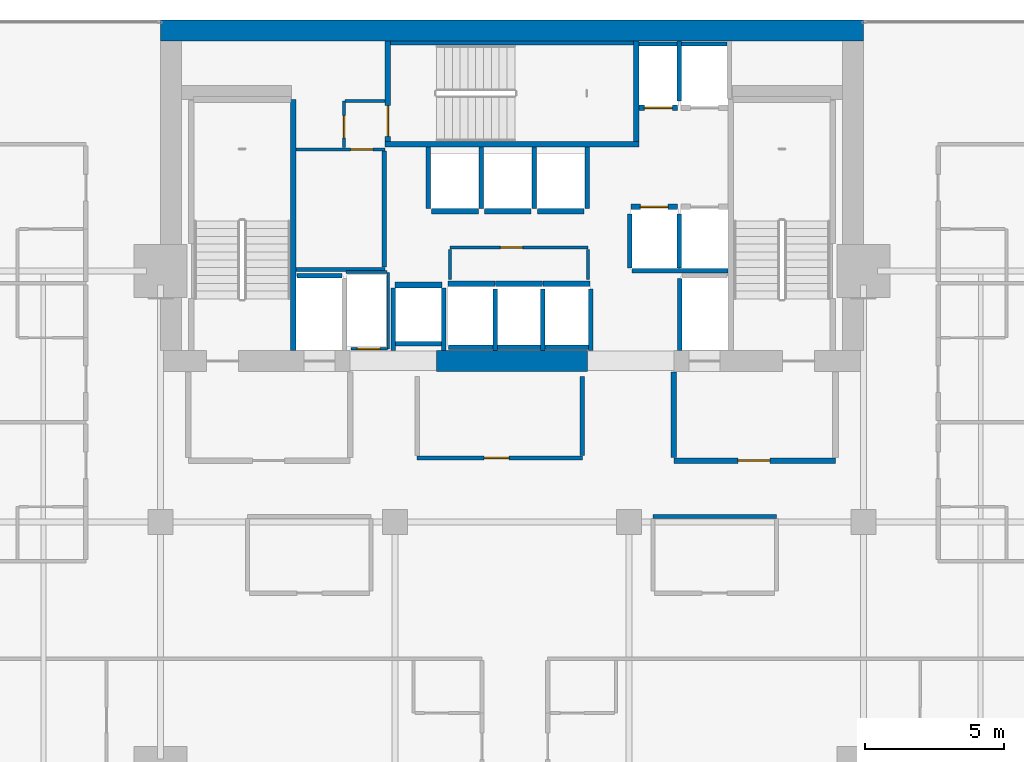
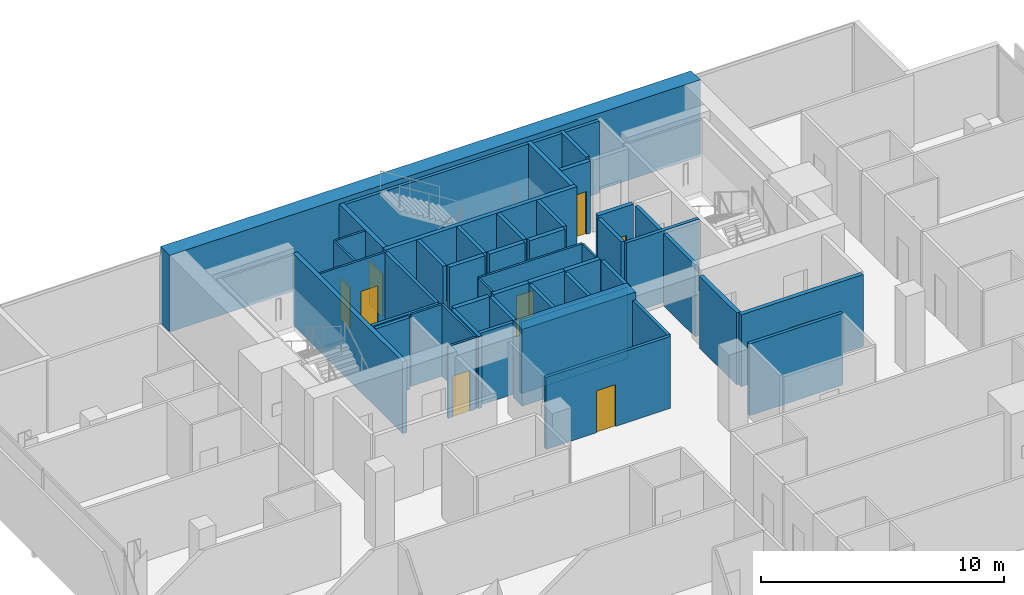
# One storey, part 30 of 34: 50 walls, 9 doors, 9 openings.
"""IFC4 building model written with IfcOpenShell, lengths in metres."""

from ifc_helpers import new_model, si_unit, direction, frame, frame_2d, origin, place, context, subcontext, project, spatial, rectangle, extrude, material, layer, layer_set, type_object, element, fill, save


model = new_model("IFC4")

# Units and contexts
model_context = context("Model", 3, precision=1e-05, world=origin(), true_north=direction((0.0, 1.0)))
body_context = subcontext(model_context, "Body", "Model", "MODEL_VIEW")
ifc_project = project(units=[si_unit("LENGTHUNIT", "METRE"), si_unit("AREAUNIT", "SQUARE_METRE"), si_unit("VOLUMEUNIT", "CUBIC_METRE"), si_unit("PLANEANGLEUNIT", "RADIAN"), si_unit("MASSUNIT", "GRAM", prefix="KILO")], contexts=[model_context])

# Site, building, storey
site_placement = place(None, origin())
site = spatial("IfcSite", under=ifc_project, at=site_placement, CompositionType="ELEMENT")
building_placement = place(site_placement, origin())
building = spatial("IfcBuilding", under=site, at=building_placement, Name="Maruvema Waterfront Hotel and Observation Tower", CompositionType="ELEMENT")
storey_placement = place(building_placement, frame((0.0, 0.0, 208.25)))
storey = spatial("IfcBuildingStorey", under=building, at=storey_placement, Name="L51", CompositionType="ELEMENT", Elevation=208.25)

# Walls
ifc_material_1 = material(Name="Twin-stud acoustic gypsum drywall", Category="gypsum")
ifc_layer_1 = layer(ifc_material_1, 0.14990234375, Name="Acoustic Corridor and Suite Demising Wall 150 mm")
ifc_layer_set_1 = layer_set([ifc_layer_1], Name="Twin-stud acoustic gypsum drywall")
wall_type_1 = type_object("IfcWallType", Name="Acoustic Corridor and Suite Demising Wall 150 mm", PredefinedType="PARTITIONING", material=ifc_layer_set_1)
wall_1_placement = place(storey_placement, frame((30.06005859375, 45.06005859375, 0.0), z_axis=(0.0, 0.0, 1.0), x_axis=(1.0, 0.0, 0.0)))
element("IfcWall", 1, at=wall_1_placement, inside=storey, type_object=wall_type_1, Name="L51 Freed B1 South Wall 013", PredefinedType="PARTITIONING", context=body_context, shape_type="SweptSolid", body=[
    extrude(rectangle(XDim=3.179931640625, YDim=0.14990234375, at=frame_2d((1.58984375, 0.0))), origin(), (0.0, 0.0, 1.0), 3.610107421875),
])
wall_2_placement = place(storey_placement, frame((33.219970703125, 45.139892578125, 0.0), z_axis=(0.0, 0.0, 1.0), x_axis=(0.0, 1.0, 0.0)))
element("IfcWall", 2, at=wall_2_placement, inside=storey, type_object=wall_type_1, Name="L51 Freed B1 East Wall 014", PredefinedType="PARTITIONING", context=body_context, shape_type="SweptSolid", body=[
    extrude(rectangle(XDim=4.16015625, YDim=0.14990234375, at=frame_2d((2.080078125, 0.0))), origin(), (0.0, 0.0, 1.0), 3.610107421875),
])

# Wall, opening, door
wall_3_placement = place(storey_placement, frame((34.39990234375, 38.300048828125, 0.0), z_axis=(0.0, 0.0, 1.0), x_axis=(1.0, 0.0, 0.0)))
wall_3 = element("IfcWall", 3, at=wall_3_placement, inside=storey, type_object=wall_type_1, Name="L51 Core Apron K0 South 018", PredefinedType="PARTITIONING", context=body_context, shape_type="SweptSolid", body=[
    extrude(rectangle(XDim=5.920166015625, YDim=0.14990234375, at=frame_2d((2.9599609375, 0.0))), origin(), (0.0, 0.0, 1.0), 3.610107421875),
])
opening_1_placement = place(wall_3_placement, frame((2.39990234375, 0.0, 0.0)))
opening_1 = element("IfcOpeningElement", 4, at=opening_1_placement, cuts=wall_3, Name="Opening DR-090", PredefinedType="OPENING", context=body_context, shape_type="SweptSolid", body=[
    extrude(rectangle(XDim=0.89990234375, YDim=2.10009765625, at=frame_2d((0.449951171875, 1.050048828125))), frame((0.0, 0.0849609375, 0.0), z_axis=(0.0, -1.0, 0.0), x_axis=(1.0, 0.0, 0.0)), (0.0, 0.0, 1.0), 0.169921875),
])
ifc_material_2 = material(Name="Solid-core lacquered timber leaf", Category="wood")
door_type_1 = type_object("IfcDoorType", Name="Accessible Toilet and Room Door 900x2100 mm", OperationType="NOTDEFINED", PredefinedType="DOOR", material=ifc_material_2)
door_1_placement = place(opening_1_placement, frame((0.89990234375, 0.0, 0.0), z_axis=(0.0, 0.0, 1.0), x_axis=(-1.0, 0.0, 0.0)))
door_1 = element("IfcDoor", 5, at=door_1_placement, inside=storey, type_object=door_type_1, Name="L51 Core Valet Room Door", OperationType="SINGLE_SWING_RIGHT", OverallHeight=2.10009765625, OverallWidth=0.89990234375, PredefinedType="DOOR", context=body_context, shape_type="SweptSolid", body=[
    extrude(rectangle(XDim=0.89990234375, YDim=2.10009765625, at=frame_2d((0.449951171875, 1.050048828125))), frame((0.0, 0.02490234375, 0.0), z_axis=(0.0, -1.0, 0.0), x_axis=(1.0, 0.0, 0.0)), (0.0, 0.0, 1.0), 0.050048828125),
])
fill(opening_1, door_1)

# Walls
wall_4_placement = place(storey_placement, frame((40.320068359375, 38.3798828125, 0.0), z_axis=(0.0, 0.0, 1.0), x_axis=(0.0, 1.0, 0.0)))
element("IfcWall", 6, at=wall_4_placement, inside=storey, type_object=wall_type_1, Name="L51 Core Apron K0 East 020", PredefinedType="PARTITIONING", context=body_context, shape_type="SweptSolid", body=[
    extrude(rectangle(XDim=2.840087890625, YDim=0.14990234375, at=frame_2d((1.419921875, 0.0))), origin(), (0.0, 0.0, 1.0), 3.610107421875),
])
wall_5_placement = place(storey_placement, frame((42.85009765625, 36.199951171875, 0.0), z_axis=(0.0, 0.0, 1.0), x_axis=(1.0, 0.0, 0.0)))
element("IfcWall", 7, at=wall_5_placement, inside=storey, type_object=wall_type_1, Name="L51 L51-M2 Back Wall 025", PredefinedType="PARTITIONING", context=body_context, shape_type="SweptSolid", body=[
    extrude(rectangle(XDim=4.429931640625, YDim=0.14990234375, at=frame_2d((2.21484375, 0.0))), origin(), (0.0, 0.0, 1.0), 3.610107421875),
])
ifc_material_3 = material(Name="Precast concrete C45/55", Category="concrete")
ifc_layer_2 = layer(ifc_material_3, 0.14990234375, Name="Core Shaft Furring Wall 150 mm")
ifc_layer_set_2 = layer_set([ifc_layer_2], Name="Precast concrete C45/55")
wall_type_2 = type_object("IfcWallType", Name="Core Shaft Furring Wall 150 mm", PredefinedType="SOLIDWALL", material=ifc_layer_set_2)
wall_6_placement = place(storey_placement, frame((33.449951171875, 53.175048828125, 0.0), z_axis=(0.0, 0.0, 1.0), x_axis=(1.0, 0.0, 0.0)))
element("IfcWall", 8, at=wall_6_placement, inside=storey, type_object=wall_type_2, Name="L51 Stairwell ST-02 North Furring Wall", PredefinedType="SOLIDWALL", context=body_context, shape_type="SweptSolid", body=[
    extrude(rectangle(XDim=8.699951171875, YDim=0.14990234375, at=frame_2d((4.35009765625, 0.0))), origin(), (0.0, 0.0, 1.0), 3.610107421875),
])
ifc_material_4 = material(Name="Precast concrete C45/55", Category="concrete")
ifc_layer_3 = layer(ifc_material_4, 0.199951171875, Name="Core Shaft and Stairwell Enclosure Wall 200 mm")
ifc_layer_set_3 = layer_set([ifc_layer_3], Name="Precast concrete C45/55")
wall_type_3 = type_object("IfcWallType", Name="Core Shaft and Stairwell Enclosure Wall 200 mm", PredefinedType="SOLIDWALL", material=ifc_layer_set_3)
wall_7_placement = place(storey_placement, frame((29.949951171875, 42.14990234375, 0.0), z_axis=(0.0, 0.0, 1.0), x_axis=(0.0, 1.0, 0.0)))
element("IfcWall", 9, at=wall_7_placement, inside=storey, type_object=wall_type_3, Name="L51 Stairwell ST-01 East Shaft Wall", PredefinedType="SOLIDWALL", context=body_context, shape_type="SweptSolid", body=[
    extrude(rectangle(XDim=9.0, YDim=0.199951171875, at=frame_2d((4.5, 0.0))), origin(), (0.0, 0.0, 1.0), 3.610107421875),
])
wall_8_placement = place(storey_placement, frame((33.25, 49.550048828125, 0.0), z_axis=(0.0, 0.0, 1.0), x_axis=(1.0, 0.0, 0.0)))
element("IfcWall", 10, at=wall_8_placement, inside=storey, type_object=wall_type_3, Name="L51 Stairwell ST-02 Shaft Wall", PredefinedType="SOLIDWALL", context=body_context, shape_type="SweptSolid", body=[
    extrude(rectangle(XDim=9.10009765625, YDim=0.199951171875, at=frame_2d((4.550048828125, 0.0))), origin(), (0.0, 0.0, 1.0), 3.610107421875),
])
wall_9_placement = place(storey_placement, frame((42.25, 49.64990234375, 0.0), z_axis=(0.0, 0.0, 1.0), x_axis=(0.0, 1.0, 0.0)))
element("IfcWall", 11, at=wall_9_placement, inside=storey, type_object=wall_type_3, Name="L51 Stairwell ST-02 Shaft Wall", PredefinedType="SOLIDWALL", context=body_context, shape_type="SweptSolid", body=[
    extrude(rectangle(XDim=3.60009765625, YDim=0.199951171875, at=frame_2d((1.800048828125, 0.0))), origin(), (0.0, 0.0, 1.0), 3.610107421875),
])

# Wall, opening, door
wall_10_placement = place(storey_placement, frame((33.35009765625, 49.64990234375, 0.0), z_axis=(0.0, 0.0, 1.0), x_axis=(0.0, 1.0, 0.0)))
wall_10 = element("IfcWall", 12, at=wall_10_placement, inside=storey, type_object=wall_type_3, Name="L51 Stairwell ST-02 Shaft Wall", PredefinedType="SOLIDWALL", context=body_context, shape_type="SweptSolid", body=[
    extrude(rectangle(XDim=3.60009765625, YDim=0.199951171875, at=frame_2d((1.800048828125, 0.0))), origin(), (0.0, 0.0, 1.0), 3.610107421875),
])
opening_2_placement = place(wall_10_placement, frame((0.179931640625, 0.0, 0.0)))
opening_2 = element("IfcOpeningElement", 13, at=opening_2_placement, cuts=wall_10, Name="Opening SD-02", PredefinedType="OPENING", context=body_context, shape_type="SweptSolid", body=[
    extrude(rectangle(XDim=1.10009765625, YDim=2.14990234375, at=frame_2d((0.550048828125, 1.074951171875))), frame((0.0, 0.10986328125, 0.0), z_axis=(0.0, -1.0, 0.0), x_axis=(1.0, 0.0, 0.0)), (0.0, 0.0, 1.0), 0.219970703125),
])
ifc_material_5 = material(Name="Fire-rated galvanised steel leaf", Category="steel")
door_type_2 = type_object("IfcDoorType", Name="Central Exit Stair Fire Door 1100x2150 mm", OperationType="NOTDEFINED", PredefinedType="DOOR", material=ifc_material_5)
door_2_placement = place(opening_2_placement, frame((1.10009765625, 0.0, 0.0), z_axis=(0.0, 0.0, 1.0), x_axis=(-1.0, 0.0, 0.0)))
door_2 = element("IfcDoor", 14, at=door_2_placement, inside=storey, type_object=door_type_2, Name="L51 Exit Stair ST-02 Fire Door", OperationType="SINGLE_SWING_LEFT", OverallHeight=2.14990234375, OverallWidth=1.10009765625, PredefinedType="DOOR", context=body_context, shape_type="SweptSolid", body=[
    extrude(rectangle(XDim=1.10009765625, YDim=2.14990234375, at=frame_2d((0.550048828125, 1.074951171875))), frame((0.0, 0.02490234375, 0.0), z_axis=(0.0, -1.0, 0.0), x_axis=(1.0, 0.0, 0.0)), (0.0, 0.0, 1.0), 0.050048828125),
])
fill(opening_2, door_2)

wall_11_placement = place(storey_placement, frame((42.06005859375, 47.300048828125, 0.0), z_axis=(0.0, 0.0, 1.0), x_axis=(1.0, 0.0, 0.0)))
wall_11 = element("IfcWall", 15, at=wall_11_placement, inside=storey, type_object=wall_type_3, Name="L51 Lift LF-05 Hoistway Front Wall", PredefinedType="SOLIDWALL", context=body_context, shape_type="SweptSolid", body=[
    extrude(rectangle(XDim=1.679931640625, YDim=0.199951171875, at=frame_2d((0.83984375, 0.0))), origin(), (0.0, 0.0, 1.0), 3.610107421875),
])
opening_3_placement = place(wall_11_placement, frame((0.340087890625, 0.0, 0.0)))
opening_3 = element("IfcOpeningElement", 16, at=opening_3_placement, cuts=wall_11, Name="Opening LD-01", PredefinedType="OPENING", context=body_context, shape_type="SweptSolid", body=[
    extrude(rectangle(XDim=1.0, YDim=2.14990234375, at=frame_2d((0.5, 1.074951171875))), frame((0.0, 0.10986328125, 0.0), z_axis=(0.0, -1.0, 0.0), x_axis=(1.0, 0.0, 0.0)), (0.0, 0.0, 1.0), 0.219970703125),
])
ifc_material_6 = material(Name="Brushed stainless steel Grade 316", Category="steel")
door_type_3 = type_object("IfcDoorType", Name="Passenger Lift Sliding Landing Door 1000x2150 mm", OperationType="SLIDING_TO_LEFT", PredefinedType="DOOR", material=ifc_material_6)
door_3_placement = place(opening_3_placement, origin())
door_3 = element("IfcDoor", 17, at=door_3_placement, inside=storey, type_object=door_type_3, Name="L51 Lift LF-05 Sliding Landing Door", OperationType="SLIDING_TO_LEFT", OverallHeight=2.14990234375, OverallWidth=1.0, PredefinedType="DOOR", context=body_context, shape_type="SweptSolid", body=[
    extrude(rectangle(XDim=1.0, YDim=2.14990234375, at=frame_2d((0.5, 1.074951171875))), frame((0.0, 0.02490234375, 0.0), z_axis=(0.0, -1.0, 0.0), x_axis=(1.0, 0.0, 0.0)), (0.0, 0.0, 1.0), 0.050048828125),
])
fill(opening_3, door_3)

wall_12_placement = place(storey_placement, frame((42.360107421875, 50.85009765625, 0.0), z_axis=(0.0, 0.0, 1.0), x_axis=(1.0, 0.0, 0.0)))
wall_12 = element("IfcWall", 18, at=wall_12_placement, inside=storey, type_object=wall_type_3, Name="L51 Lift LF-07 Hoistway Front Wall", PredefinedType="SOLIDWALL", context=body_context, shape_type="SweptSolid", body=[
    extrude(rectangle(XDim=1.3798828125, YDim=0.199951171875, at=frame_2d((0.68994140625, 0.0))), origin(), (0.0, 0.0, 1.0), 3.610107421875),
])
opening_4_placement = place(wall_12_placement, frame((0.18994140625, 0.0, 0.0)))
opening_4 = element("IfcOpeningElement", 19, at=opening_4_placement, cuts=wall_12, Name="Opening LD-01", PredefinedType="OPENING", context=body_context, shape_type="SweptSolid", body=[
    extrude(rectangle(XDim=1.0, YDim=2.14990234375, at=frame_2d((0.5, 1.074951171875))), frame((0.0, 0.10986328125, 0.0), z_axis=(0.0, -1.0, 0.0), x_axis=(1.0, 0.0, 0.0)), (0.0, 0.0, 1.0), 0.219970703125),
])
door_4_placement = place(opening_4_placement, frame((1.0, 0.0, 0.0), z_axis=(0.0, 0.0, 1.0), x_axis=(-1.0, 0.0, 0.0)))
door_4 = element("IfcDoor", 20, at=door_4_placement, inside=storey, type_object=door_type_3, Name="L51 Lift LF-07 Sliding Landing Door", OperationType="SLIDING_TO_LEFT", OverallHeight=2.14990234375, OverallWidth=1.0, PredefinedType="DOOR", context=body_context, shape_type="SweptSolid", body=[
    extrude(rectangle(XDim=1.0, YDim=2.14990234375, at=frame_2d((0.5, 1.074951171875))), frame((0.0, 0.02490234375, 0.0), z_axis=(0.0, -1.0, 0.0), x_axis=(1.0, 0.0, 0.0)), (0.0, 0.0, 1.0), 0.050048828125),
])
fill(opening_4, door_4)

# Walls
for number, where, z_axis, x_axis, name in (
    (21, (35.510009765625, 44.550048828125, 0.0), (0.0, 0.0, 1.0), (1.0, 0.0, 0.0), "L51 Lift LF-09 Hoistway Front Wall"),
    (22, (37.2099609375, 44.550048828125, 0.0), (0.0, 0.0, 1.0), (1.0, 0.0, 0.0), "L51 Lift LF-10 Hoistway Front Wall"),
):
    element("IfcWall", number, at=place(storey_placement, frame(where, z_axis=z_axis, x_axis=x_axis)), inside=storey, type_object=wall_type_3, Name=name, PredefinedType="SOLIDWALL", context=body_context, shape_type="SweptSolid", body=[
        extrude(rectangle(XDim=1.679931640625, YDim=0.199951171875, at=frame_2d((0.83984375, 0.0))), origin(), (0.0, 0.0, 1.0), 3.610107421875),
    ])
for number, where, z_axis, x_axis, name in (
    (23, (38.909912109375, 44.550048828125, 0.0), (0.0, 0.0, 1.0), (1.0, 0.0, 0.0), "L51 Lift LF-11 Hoistway Front Wall"),
    (24, (34.909912109375, 47.14990234375, 0.0), (0.0, 0.0, 1.0), (1.0, 0.0, 0.0), "L51 Lift LF-12 Hoistway Front Wall"),
):
    element("IfcWall", number, at=place(storey_placement, frame(where, z_axis=z_axis, x_axis=x_axis)), inside=storey, type_object=wall_type_3, Name=name, PredefinedType="SOLIDWALL", context=body_context, shape_type="SweptSolid", body=[
        extrude(rectangle(XDim=1.68017578125, YDim=0.199951171875, at=frame_2d((0.840087890625, 0.0))), origin(), (0.0, 0.0, 1.0), 3.610107421875),
    ])
for number, where, z_axis, x_axis, name in (
    (25, (36.81005859375, 47.14990234375, 0.0), (0.0, 0.0, 1.0), (1.0, 0.0, 0.0), "L51 Lift LF-13 Hoistway Front Wall"),
    (26, (38.7099609375, 47.14990234375, 0.0), (0.0, 0.0, 1.0), (1.0, 0.0, 0.0), "L51 Lift LF-14 Hoistway Front Wall"),
    (27, (33.610107421875, 44.5, 0.0), (0.0, 0.0, 1.0), (1.0, 0.0, 0.0), "L51 Lift LF-15 Hoistway Front Wall"),
):
    element("IfcWall", number, at=place(storey_placement, frame(where, z_axis=z_axis, x_axis=x_axis)), inside=storey, type_object=wall_type_3, Name=name, PredefinedType="SOLIDWALL", context=body_context, shape_type="SweptSolid", body=[
        extrude(rectangle(XDim=1.679931640625, YDim=0.199951171875, at=frame_2d((0.83984375, 0.0))), origin(), (0.0, 0.0, 1.0), 3.610107421875),
    ])
ifc_material_7 = material(Name="Concrete C70/85", Category="concrete")
ifc_layer_4 = layer(ifc_material_7, 0.75, Name="Core Shear Wall 750 mm")
ifc_layer_set_4 = layer_set([ifc_layer_4], Name="Concrete C70/85")
wall_type_4 = type_object("IfcWallType", Name="Core Shear Wall 750 mm", PredefinedType="SHEAR", material=ifc_layer_set_4)
wall_13_placement = place(storey_placement, frame((25.199951171875, 53.625, 0.0), z_axis=(0.0, 0.0, 1.0), x_axis=(1.0, 0.0, 0.0)))
element("IfcWall", 28, at=wall_13_placement, inside=storey, type_object=wall_type_4, Name="L51 North Core Shear Wall", PredefinedType="SHEAR", context=body_context, shape_type="SweptSolid", body=[
    extrude(rectangle(XDim=25.199951171875, YDim=0.75, at=frame_2d((12.60009765625, 0.0))), origin(), (0.0, 0.0, 1.0), 3.85009765625),
])
wall_14_placement = place(storey_placement, frame((35.10009765625, 41.77490234375, 0.0), z_axis=(0.0, 0.0, 1.0), x_axis=(1.0, 0.0, 0.0)))
element("IfcWall", 29, at=wall_14_placement, inside=storey, type_object=wall_type_4, Name="L51 South-Central Core Shear Wall", PredefinedType="SHEAR", context=body_context, shape_type="SweptSolid", body=[
    extrude(rectangle(XDim=5.39990234375, YDim=0.75, at=frame_2d((2.699951171875, 0.0))), origin(), (0.0, 0.0, 1.0), 3.85009765625),
])

# Wall, opening, door
ifc_material_8 = material(Name="Moisture-resistant cement-board drywall", Category="gypsum")
ifc_layer_5 = layer(ifc_material_8, 0.10009765625, Name="En-Suite Moisture-Resistant Partition 100 mm")
ifc_layer_set_5 = layer_set([ifc_layer_5], Name="Moisture-resistant cement-board drywall")
wall_type_5 = type_object("IfcWallType", Name="En-Suite Moisture-Resistant Partition 100 mm", PredefinedType="PARTITIONING", material=ifc_layer_set_5)
wall_15_placement = place(storey_placement, frame((32.02001953125, 42.2099609375, 0.0), z_axis=(0.0, 0.0, 1.0), x_axis=(1.0, 0.0, 0.0)))
wall_15 = element("IfcWall", 30, at=wall_15_placement, inside=storey, type_object=wall_type_5, Name="L51 Telecom Riser South Wall 007", PredefinedType="PARTITIONING", context=body_context, shape_type="SweptSolid", body=[
    extrude(rectangle(XDim=1.320068359375, YDim=0.10009765625, at=frame_2d((0.66015625, 0.0))), origin(), (0.0, 0.0, 1.0), 3.610107421875),
])
opening_5_placement = place(wall_15_placement, frame((0.239990234375, 0.0, 0.0)))
opening_5 = element("IfcOpeningElement", 31, at=opening_5_placement, cuts=wall_15, Name="Opening DR-080", PredefinedType="OPENING", context=body_context, shape_type="SweptSolid", body=[
    extrude(rectangle(XDim=0.800048828125, YDim=2.050048828125, at=frame_2d((0.39990234375, 1.02490234375))), frame((0.0, 0.06005859375, 0.0), z_axis=(0.0, -1.0, 0.0), x_axis=(1.0, 0.0, 0.0)), (0.0, 0.0, 1.0), 0.1201171875),
])
ifc_material_9 = material(Name="Powder-coated steel access leaf", Category="steel")
door_type_4 = type_object("IfcDoorType", Name="Riser and Service Cupboard Door 800x2050 mm", OperationType="NOTDEFINED", PredefinedType="DOOR", material=ifc_material_9)
door_5_placement = place(opening_5_placement, frame((0.800048828125, 0.0, 0.0), z_axis=(0.0, 0.0, 1.0), x_axis=(-1.0, 0.0, 0.0)))
door_5 = element("IfcDoor", 32, at=door_5_placement, inside=storey, type_object=door_type_4, Name="L51 Telecom Riser Door", OperationType="SINGLE_SWING_RIGHT", OverallHeight=2.050048828125, OverallWidth=0.800048828125, PredefinedType="DOOR", context=body_context, shape_type="SweptSolid", body=[
    extrude(rectangle(XDim=0.800048828125, YDim=2.050048828125, at=frame_2d((0.39990234375, 1.02490234375))), frame((0.0, 0.02490234375, 0.0), z_axis=(0.0, -1.0, 0.0), x_axis=(1.0, 0.0, 0.0)), (0.0, 0.0, 1.0), 0.050048828125),
])
fill(opening_5, door_5)

# Walls
wall_16_placement = place(storey_placement, frame((31.840087890625, 44.9599609375, 0.0), z_axis=(0.0, 0.0, 1.0), x_axis=(1.0, 0.0, 0.0)))
element("IfcWall", 33, at=wall_16_placement, inside=storey, type_object=wall_type_5, Name="L51 Telecom Riser North Wall 008", PredefinedType="PARTITIONING", context=body_context, shape_type="SweptSolid", body=[
    extrude(rectangle(XDim=1.47998046875, YDim=0.10009765625, at=frame_2d((0.739990234375, 0.0))), origin(), (0.0, 0.0, 1.0), 3.610107421875),
])
wall_17_placement = place(storey_placement, frame((33.360107421875, 42.2099609375, 0.0), z_axis=(0.0, 0.0, 1.0), x_axis=(0.0, 1.0, 0.0)))
element("IfcWall", 34, at=wall_17_placement, inside=storey, type_object=wall_type_5, Name="L51 Telecom Riser East Wall 009", PredefinedType="PARTITIONING", context=body_context, shape_type="SweptSolid", body=[
    extrude(rectangle(XDim=2.72998046875, YDim=0.10009765625, at=frame_2d((1.364990234375, 0.0))), origin(), (0.0, 0.0, 1.0), 3.610107421875),
])

# Wall, opening, door
wall_18_placement = place(storey_placement, frame((35.580078125, 45.840087890625, 0.0), z_axis=(0.0, 0.0, 1.0), x_axis=(1.0, 0.0, 0.0)))
wall_18 = element("IfcWall", 35, at=wall_18_placement, inside=storey, type_object=wall_type_5, Name="L51 Core Closet K0 North 010", PredefinedType="PARTITIONING", context=body_context, shape_type="SweptSolid", body=[
    extrude(rectangle(XDim=4.93994140625, YDim=0.10009765625, at=frame_2d((2.469970703125, 0.0))), origin(), (0.0, 0.0, 1.0), 3.610107421875),
])
opening_6_placement = place(wall_18_placement, frame((1.800048828125, 0.0, 0.0)))
opening_6 = element("IfcOpeningElement", 36, at=opening_6_placement, cuts=wall_18, Name="Opening DR-080", PredefinedType="OPENING", context=body_context, shape_type="SweptSolid", body=[
    extrude(rectangle(XDim=0.800048828125, YDim=2.050048828125, at=frame_2d((0.39990234375, 1.02490234375))), frame((0.0, 0.06005859375, 0.0), z_axis=(0.0, -1.0, 0.0), x_axis=(1.0, 0.0, 0.0)), (0.0, 0.0, 1.0), 0.1201171875),
])
door_6_placement = place(opening_6_placement, origin())
door_6 = element("IfcDoor", 37, at=door_6_placement, inside=storey, type_object=door_type_4, Name="L51 Core Electrical Closet Door", OperationType="SINGLE_SWING_LEFT", OverallHeight=2.050048828125, OverallWidth=0.800048828125, PredefinedType="DOOR", context=body_context, shape_type="SweptSolid", body=[
    extrude(rectangle(XDim=0.800048828125, YDim=2.050048828125, at=frame_2d((0.39990234375, 1.02490234375))), frame((0.0, 0.02490234375, 0.0), z_axis=(0.0, -1.0, 0.0), x_axis=(1.0, 0.0, 0.0)), (0.0, 0.0, 1.0), 0.050048828125),
])
fill(opening_6, door_6)

# Walls
for number, where, z_axis, x_axis, name in (
    (38, (35.580078125, 44.699951171875, 0.0), (0.0, 0.0, 1.0), (0.0, 1.0, 0.0), "L51 Core Closet K0 West 011"),
    (39, (40.52001953125, 44.699951171875, 0.0), (0.0, 0.0, 1.0), (0.0, 1.0, 0.0), "L51 Core Closet K0 East 012"),
):
    element("IfcWall", number, at=place(storey_placement, frame(where, z_axis=z_axis, x_axis=x_axis)), inside=storey, type_object=wall_type_5, Name=name, PredefinedType="PARTITIONING", context=body_context, shape_type="SweptSolid", body=[
        extrude(rectangle(XDim=1.080078125, YDim=0.10009765625, at=frame_2d((0.5400390625, 0.0))), origin(), (0.0, 0.0, 1.0), 3.610107421875),
    ])

# Wall, opening, door
wall_19_placement = place(storey_placement, frame((30.06005859375, 49.360107421875, 0.0), z_axis=(0.0, 0.0, 1.0), x_axis=(1.0, 0.0, 0.0)))
wall_19 = element("IfcWall", 40, at=wall_19_placement, inside=storey, type_object=wall_type_5, Name="L51 Freed B1 Mid Wall 015", PredefinedType="PARTITIONING", context=body_context, shape_type="SweptSolid", body=[
    extrude(rectangle(XDim=3.179931640625, YDim=0.10009765625, at=frame_2d((1.58984375, 0.0))), origin(), (0.0, 0.0, 1.0), 3.610107421875),
])
opening_7_placement = place(wall_19_placement, frame((1.949951171875, 0.0, 0.0)))
opening_7 = element("IfcOpeningElement", 41, at=opening_7_placement, cuts=wall_19, Name="Opening DR-080", PredefinedType="OPENING", context=body_context, shape_type="SweptSolid", body=[
    extrude(rectangle(XDim=0.800048828125, YDim=2.050048828125, at=frame_2d((0.39990234375, 1.02490234375))), frame((0.0, 0.06005859375, 0.0), z_axis=(0.0, -1.0, 0.0), x_axis=(1.0, 0.0, 0.0)), (0.0, 0.0, 1.0), 0.1201171875),
])
door_7_placement = place(opening_7_placement, origin())
door_7 = element("IfcDoor", 42, at=door_7_placement, inside=storey, type_object=door_type_4, Name="L51 Housekeeping and Linen Room Door", OperationType="SINGLE_SWING_RIGHT", OverallHeight=2.050048828125, OverallWidth=0.800048828125, PredefinedType="DOOR", context=body_context, shape_type="SweptSolid", body=[
    extrude(rectangle(XDim=0.800048828125, YDim=2.050048828125, at=frame_2d((0.39990234375, 1.02490234375))), frame((0.0, 0.02490234375, 0.0), z_axis=(0.0, -1.0, 0.0), x_axis=(1.0, 0.0, 0.0)), (0.0, 0.0, 1.0), 0.050048828125),
])
fill(opening_7, door_7)

wall_20_placement = place(storey_placement, frame((31.780029296875, 49.419921875, 0.0), z_axis=(0.0, 0.0, 1.0), x_axis=(0.0, 1.0, 0.0)))
wall_20 = element("IfcWall", 43, at=wall_20_placement, inside=storey, type_object=wall_type_5, Name="L51 Freed B1 NW East Wall 016", PredefinedType="PARTITIONING", context=body_context, shape_type="SweptSolid", body=[
    extrude(rectangle(XDim=1.68017578125, YDim=0.10009765625, at=frame_2d((0.840087890625, 0.0))), origin(), (0.0, 0.0, 1.0), 3.610107421875),
])
opening_8_placement = place(wall_20_placement, frame((0.35009765625, 0.0, 0.0)))
opening_8 = element("IfcOpeningElement", 44, at=opening_8_placement, cuts=wall_20, Name="Opening DR-080", PredefinedType="OPENING", context=body_context, shape_type="SweptSolid", body=[
    extrude(rectangle(XDim=0.800048828125, YDim=2.050048828125, at=frame_2d((0.39990234375, 1.02490234375))), frame((0.0, 0.06005859375, 0.0), z_axis=(0.0, -1.0, 0.0), x_axis=(1.0, 0.0, 0.0)), (0.0, 0.0, 1.0), 0.1201171875),
])
door_8_placement = place(opening_8_placement, origin())
door_8 = element("IfcDoor", 45, at=door_8_placement, inside=storey, type_object=door_type_4, Name="L51 Guest Floor Pantry Door", OperationType="SINGLE_SWING_LEFT", OverallHeight=2.050048828125, OverallWidth=0.800048828125, PredefinedType="DOOR", context=body_context, shape_type="SweptSolid", body=[
    extrude(rectangle(XDim=0.800048828125, YDim=2.050048828125, at=frame_2d((0.39990234375, 1.02490234375))), frame((0.0, 0.02490234375, 0.0), z_axis=(0.0, -1.0, 0.0), x_axis=(1.0, 0.0, 0.0)), (0.0, 0.0, 1.0), 0.050048828125),
])
fill(opening_8, door_8)

# Wall
wall_21_placement = place(storey_placement, frame((31.820068359375, 51.10009765625, 0.0), z_axis=(0.0, 0.0, 1.0), x_axis=(1.0, 0.0, 0.0)))
element("IfcWall", 46, at=wall_21_placement, inside=storey, type_object=wall_type_5, Name="L51 Freed B1 Vestibule North Wall 017", PredefinedType="PARTITIONING", context=body_context, shape_type="SweptSolid", body=[
    extrude(rectangle(XDim=1.419921875, YDim=0.10009765625, at=frame_2d((0.7099609375, 0.0))), origin(), (0.0, 0.0, 1.0), 3.610107421875),
])

# Wall, opening, door
ifc_material_10 = material(Name="Autoclaved cellular concrete blockwork", Category="masonry")
ifc_layer_6 = layer(ifc_material_10, 0.199951171875, Name="Fire Compartment Masonry Wall 200 mm")
ifc_layer_set_6 = layer_set([ifc_layer_6], Name="Autoclaved cellular concrete blockwork")
wall_type_6 = type_object("IfcWallType", Name="Fire Compartment Masonry Wall 200 mm", PredefinedType="PARTITIONING", material=ifc_layer_set_6)
wall_22_placement = place(storey_placement, frame((43.60009765625, 38.199951171875, 0.0), z_axis=(0.0, 0.0, 1.0), x_axis=(1.0, 0.0, 0.0)))
wall_22 = element("IfcWall", 47, at=wall_22_placement, inside=storey, type_object=wall_type_6, Name="L51 FFL East South Wall 004", PredefinedType="PARTITIONING", context=body_context, shape_type="SweptSolid", body=[
    extrude(rectangle(XDim=5.7998046875, YDim=0.199951171875, at=frame_2d((2.89990234375, 0.0))), origin(), (0.0, 0.0, 1.0), 3.610107421875),
])
opening_9_placement = place(wall_22_placement, frame((2.300048828125, 0.0, 0.0)))
opening_9 = element("IfcOpeningElement", 48, at=opening_9_placement, cuts=wall_22, Name="Opening FD-115", PredefinedType="OPENING", context=body_context, shape_type="SweptSolid", body=[
    extrude(rectangle(XDim=1.14990234375, YDim=2.14990234375, at=frame_2d((0.574951171875, 1.074951171875))), frame((0.0, 0.10986328125, 0.0), z_axis=(0.0, -1.0, 0.0), x_axis=(1.0, 0.0, 0.0)), (0.0, 0.0, 1.0), 0.219970703125),
])
ifc_material_11 = material(Name="Fire-rated galvanised steel and vision glass", Category="steel")
door_type_5 = type_object("IfcDoorType", Name="Firefighting Lobby Fire Door 1150x2150 mm", OperationType="NOTDEFINED", PredefinedType="DOOR", material=ifc_material_11)
door_9_placement = place(opening_9_placement, frame((1.14990234375, 0.0, 0.0), z_axis=(0.0, 0.0, 1.0), x_axis=(-1.0, 0.0, 0.0)))
door_9 = element("IfcDoor", 49, at=door_9_placement, inside=storey, type_object=door_type_5, Name="L51 Firefighting Lobby East Door", OperationType="SINGLE_SWING_LEFT", OverallHeight=2.14990234375, OverallWidth=1.14990234375, PredefinedType="DOOR", context=body_context, shape_type="SweptSolid", body=[
    extrude(rectangle(XDim=1.14990234375, YDim=2.14990234375, at=frame_2d((0.574951171875, 1.074951171875))), frame((0.0, 0.02490234375, 0.0), z_axis=(0.0, -1.0, 0.0), x_axis=(1.0, 0.0, 0.0)), (0.0, 0.0, 1.0), 0.050048828125),
])
fill(opening_9, door_9)

# Walls
wall_23_placement = place(storey_placement, frame((43.60009765625, 38.31005859375, 0.0), z_axis=(0.0, 0.0, 1.0), x_axis=(0.0, 1.0, 0.0)))
element("IfcWall", 50, at=wall_23_placement, inside=storey, type_object=wall_type_6, Name="L51 FFL East West Wall 005", PredefinedType="PARTITIONING", context=body_context, shape_type="SweptSolid", body=[
    extrude(rectangle(XDim=3.06982421875, YDim=0.199951171875, at=frame_2d((1.534912109375, 0.0))), origin(), (0.0, 0.0, 1.0), 3.610107421875),
])
ifc_material_12 = material(Name="Precast concrete C45/55", Category="concrete")
ifc_layer_7 = layer(ifc_material_12, 0.159912109375, Name="Lift Hoistway Divider Wall 160 mm")
ifc_layer_set_7 = layer_set([ifc_layer_7], Name="Precast concrete C45/55")
wall_type_7 = type_object("IfcWallType", Name="Lift Hoistway Divider Wall 160 mm", PredefinedType="SOLIDWALL", material=ifc_layer_set_7)
wall_24_placement = place(storey_placement, frame((30.10009765625, 44.830078125, 0.0), z_axis=(0.0, 0.0, 1.0), x_axis=(1.0, 0.0, 0.0)))
element("IfcWall", 51, at=wall_24_placement, inside=storey, type_object=wall_type_7, Name="L51 Lift FL-01 Rear Hoistway Wall", PredefinedType="SOLIDWALL", context=body_context, shape_type="SweptSolid", body=[
    extrude(rectangle(XDim=1.599853515625, YDim=0.159912109375, at=frame_2d((0.7998046875, 0.0))), origin(), (0.0, 0.0, 1.0), 3.610107421875),
])
wall_25_placement = place(storey_placement, frame((43.820068359375, 42.14990234375, 0.0), z_axis=(0.0, 0.0, 1.0), x_axis=(0.0, 1.0, 0.0)))
element("IfcWall", 52, at=wall_25_placement, inside=storey, type_object=wall_type_7, Name="L51 Lift FL-02 Inner Hoistway Wall", PredefinedType="SOLIDWALL", context=body_context, shape_type="SweptSolid", body=[
    extrude(rectangle(XDim=2.590087890625, YDim=0.159912109375, at=frame_2d((1.294921875, 0.0))), origin(), (0.0, 0.0, 1.0), 3.610107421875),
])
for number, where, z_axis, x_axis, name in (
    (53, (42.02001953125, 45.10009765625, 0.0), (0.0, 0.0, 1.0), (0.0, 1.0, 0.0), "L51 Hoistway Divider Wall"),
    (54, (43.800048828125, 45.10009765625, 0.0), (0.0, 0.0, 1.0), (0.0, 1.0, 0.0), "L51 Hoistway Divider Wall"),
):
    element("IfcWall", number, at=place(storey_placement, frame(where, z_axis=z_axis, x_axis=x_axis)), inside=storey, type_object=wall_type_7, Name=name, PredefinedType="SOLIDWALL", context=body_context, shape_type="SweptSolid", body=[
        extrude(rectangle(XDim=1.949951171875, YDim=0.159912109375, at=frame_2d((0.97509765625, 0.0))), origin(), (0.0, 0.0, 1.0), 3.610107421875),
    ])
wall_26_placement = place(storey_placement, frame((42.10009765625, 45.010009765625, 0.0), z_axis=(0.0, 0.0, 1.0), x_axis=(1.0, 0.0, 0.0)))
element("IfcWall", 55, at=wall_26_placement, inside=storey, type_object=wall_type_7, Name="L51 Hoistway Divider Wall", PredefinedType="SOLIDWALL", context=body_context, shape_type="SweptSolid", body=[
    extrude(rectangle(XDim=3.449951171875, YDim=0.159912109375, at=frame_2d((1.72509765625, 0.0))), origin(), (0.0, 0.0, 1.0), 3.610107421875),
])
wall_27_placement = place(storey_placement, frame((43.800048828125, 51.10009765625, 0.0), z_axis=(0.0, 0.0, 1.0), x_axis=(0.0, 1.0, 0.0)))
element("IfcWall", 56, at=wall_27_placement, inside=storey, type_object=wall_type_7, Name="L51 Hoistway Divider Wall", PredefinedType="SOLIDWALL", context=body_context, shape_type="SweptSolid", body=[
    extrude(rectangle(XDim=2.14990234375, YDim=0.159912109375, at=frame_2d((1.074951171875, 0.0))), origin(), (0.0, 0.0, 1.0), 3.610107421875),
])
wall_28_placement = place(storey_placement, frame((42.360107421875, 53.139892578125, 0.0), z_axis=(0.0, 0.0, 1.0), x_axis=(1.0, 0.0, 0.0)))
element("IfcWall", 57, at=wall_28_placement, inside=storey, type_object=wall_type_7, Name="L51 Hoistway Divider Wall", PredefinedType="SOLIDWALL", context=body_context, shape_type="SweptSolid", body=[
    extrude(rectangle(XDim=3.139892578125, YDim=0.159912109375, at=frame_2d((1.56982421875, 0.0))), origin(), (0.0, 0.0, 1.0), 3.610107421875),
])
for number, where, z_axis, x_axis, name in (
    (58, (37.199951171875, 42.14990234375, 0.0), (0.0, 0.0, 1.0), (0.0, 1.0, 0.0), "L51 Hoistway Divider Wall"),
    (59, (38.89990234375, 42.14990234375, 0.0), (0.0, 0.0, 1.0), (0.0, 1.0, 0.0), "L51 Hoistway Divider Wall"),
    (60, (40.6201171875, 42.14990234375, 0.0), (0.0, 0.0, 1.0), (0.0, 1.0, 0.0), "L51 Hoistway Divider Wall"),
):
    element("IfcWall", number, at=place(storey_placement, frame(where, z_axis=z_axis, x_axis=x_axis)), inside=storey, type_object=wall_type_7, Name=name, PredefinedType="SOLIDWALL", context=body_context, shape_type="SweptSolid", body=[
        extrude(rectangle(XDim=2.2001953125, YDim=0.159912109375, at=frame_2d((1.10009765625, 0.0))), origin(), (0.0, 0.0, 1.0), 3.610107421875),
    ])
wall_29_placement = place(storey_placement, frame((35.52001953125, 42.260009765625, 0.0), z_axis=(0.0, 0.0, 1.0), x_axis=(1.0, 0.0, 0.0)))
element("IfcWall", 61, at=wall_29_placement, inside=storey, type_object=wall_type_7, Name="L51 Hoistway Divider Wall", PredefinedType="SOLIDWALL", context=body_context, shape_type="SweptSolid", body=[
    extrude(rectangle(XDim=5.02001953125, YDim=0.159912109375, at=frame_2d((2.510009765625, 0.0))), origin(), (0.0, 0.0, 1.0), 3.610107421875),
])
for number, where, z_axis, x_axis, name in (
    (62, (34.800048828125, 47.25, 0.0), (0.0, 0.0, 1.0), (0.0, 1.0, 0.0), "L51 Hoistway Divider Wall"),
    (63, (36.699951171875, 47.25, 0.0), (0.0, 0.0, 1.0), (0.0, 1.0, 0.0), "L51 Hoistway Divider Wall"),
    (64, (38.60009765625, 47.25, 0.0), (0.0, 0.0, 1.0), (0.0, 1.0, 0.0), "L51 Hoistway Divider Wall"),
    (65, (40.5, 47.25, 0.0), (0.0, 0.0, 1.0), (0.0, 1.0, 0.0), "L51 Hoistway Divider Wall"),
):
    element("IfcWall", number, at=place(storey_placement, frame(where, z_axis=z_axis, x_axis=x_axis)), inside=storey, type_object=wall_type_7, Name=name, PredefinedType="SOLIDWALL", context=body_context, shape_type="SweptSolid", body=[
        extrude(rectangle(XDim=2.18994140625, YDim=0.159912109375, at=frame_2d((1.094970703125, 0.0))), origin(), (0.0, 0.0, 1.0), 3.610107421875),
    ])
for number, where, z_axis, x_axis, name in (
    (66, (33.5400390625, 42.14990234375, 0.0), (0.0, 0.0, 1.0), (0.0, 1.0, 0.0), "L51 Hoistway Divider Wall"),
    (67, (35.360107421875, 42.14990234375, 0.0), (0.0, 0.0, 1.0), (0.0, 1.0, 0.0), "L51 Hoistway Divider Wall"),
):
    element("IfcWall", number, at=place(storey_placement, frame(where, z_axis=z_axis, x_axis=x_axis)), inside=storey, type_object=wall_type_7, Name=name, PredefinedType="SOLIDWALL", context=body_context, shape_type="SweptSolid", body=[
        extrude(rectangle(XDim=2.25, YDim=0.159912109375, at=frame_2d((1.125, 0.0))), origin(), (0.0, 0.0, 1.0), 3.610107421875),
    ])
wall_30_placement = place(storey_placement, frame((33.6201171875, 42.39990234375, 0.0), z_axis=(0.0, 0.0, 1.0), x_axis=(1.0, 0.0, 0.0)))
element("IfcWall", 68, at=wall_30_placement, inside=storey, type_object=wall_type_7, Name="L51 Hoistway Divider Wall", PredefinedType="SOLIDWALL", context=body_context, shape_type="SweptSolid", body=[
    extrude(rectangle(XDim=1.659912109375, YDim=0.159912109375, at=frame_2d((0.830078125, 0.0))), origin(), (0.0, 0.0, 1.0), 3.610107421875),
])

save(model, "model.ifc")
